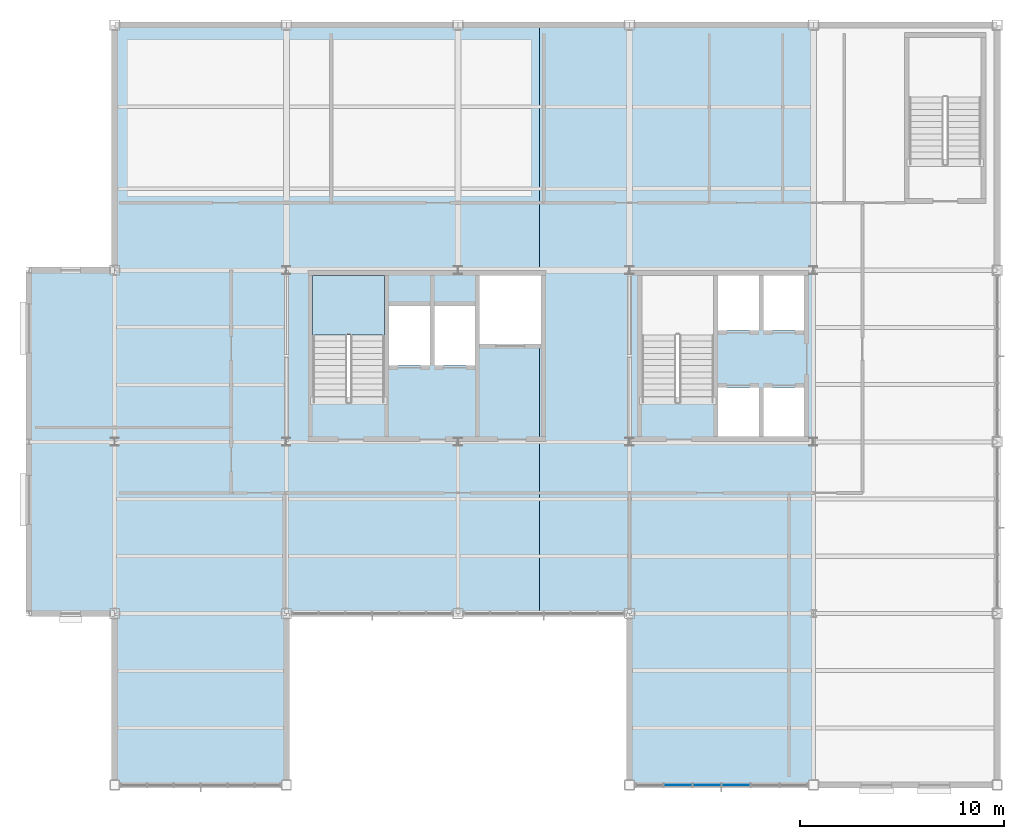
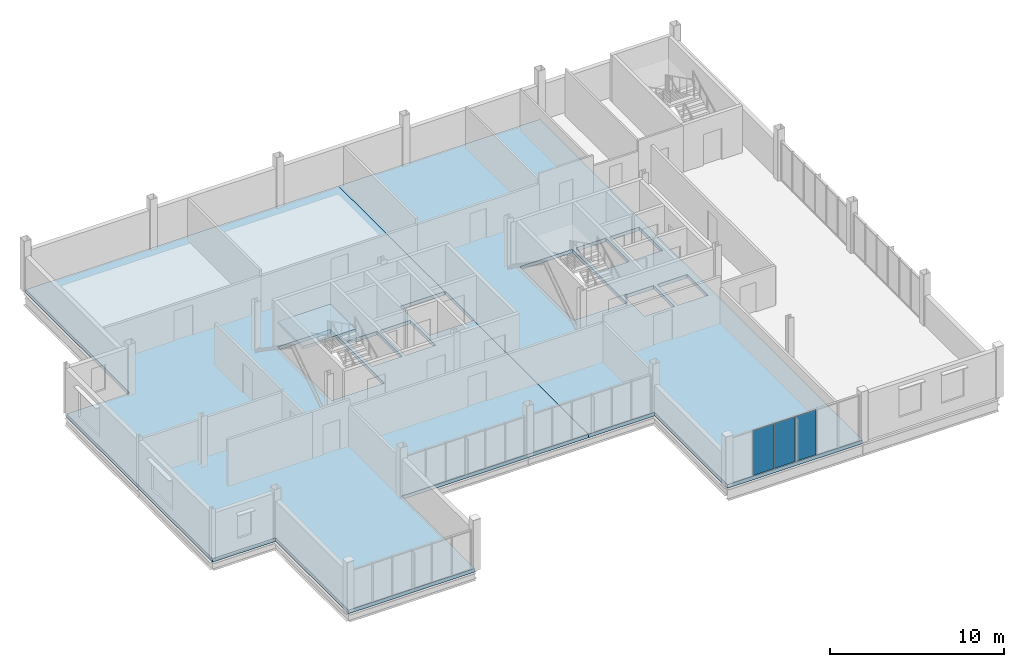
# One storey, part 12 of 19: 3 plates, 3 slabs, 2 elements without a shape of their own.
"""IFC4 building model written with IfcOpenShell, lengths in metres."""

from ifc_helpers import new_model, si_unit, direction, frame, origin, origin_2d, place, context, subcontext, project, spatial, polyline, rectangle, outline, extrude, material, layer, layer_set, type_object, element, aggregate, save


model = new_model("IFC4")

# Units and contexts
model_context = context("Model", 3, precision=1e-05, world=origin(), true_north=direction((0.0, 1.0)))
body_context = subcontext(model_context, "Body", "Model", "MODEL_VIEW")
ifc_project = project(units=[si_unit("LENGTHUNIT", "METRE"), si_unit("AREAUNIT", "SQUARE_METRE"), si_unit("VOLUMEUNIT", "CUBIC_METRE"), si_unit("PLANEANGLEUNIT", "RADIAN"), si_unit("MASSUNIT", "GRAM", prefix="KILO")], contexts=[model_context])

# Site, building, storey
site_placement = place(None, origin())
site = spatial("IfcSite", under=ifc_project, at=site_placement, CompositionType="ELEMENT")
building_placement = place(site_placement, origin())
building = spatial("IfcBuilding", under=site, at=building_placement, Name="Yukiwa Park Conservatory and Herbarium", CompositionType="ELEMENT")
storey_placement = place(building_placement, frame((0.0, 0.0, 31.800048828125)))
storey = spatial("IfcBuildingStorey", under=building, at=storey_placement, Name="L08", CompositionType="ELEMENT", Elevation=31.800048828125)

# Curtain wall, plates
ifc_material_1 = material(Name="Triple Low-E Insulated Glass", Category="glass")
ifc_layer_1 = layer(ifc_material_1, 0.248046875)
ifc_layer_set_1 = layer_set([ifc_layer_1], Name="Triple Low-E Insulated Glass")
curtain_wall_type = type_object("IfcCurtainWallType", Name="CW-TOWER-LAB-S-1400", PredefinedType="NOTDEFINED", material=ifc_layer_set_1)
curtain_wall_placement = place(storey_placement, origin())
curtain_wall = element("IfcCurtainWall", 1, at=curtain_wall_placement, inside=storey, type_object=curtain_wall_type, Name="L08 unitised curtain wall CW-L08-096", PredefinedType="NOTDEFINED")
ifc_material_2 = material(Name="Triple Low-E Insulated Glass", Category="glass")
ifc_layer_2 = layer(ifc_material_2, 0.035888671875)
ifc_layer_set_2 = layer_set([ifc_layer_2], Name="Triple Low-E Insulated Glass")
plate_type = type_object("IfcPlateType", Name="PL-CW-GLZ-36", PredefinedType="CURTAIN_PANEL", material=ifc_layer_set_2)
plate_1_placement = place(storey_placement, frame((152.375, 78.0, 0.06982421875), z_axis=(0.0, 0.0, 1.0), x_axis=(1.0, 0.0, 0.0)))
plate_1 = element("IfcPlate", 2, at=plate_1_placement, type_object=plate_type, Name="CW-L08-096 vision panel 2.1", PredefinedType="CURTAIN_PANEL", context=body_context, shape_type="SweptSolid", body=[
    extrude(rectangle(XDim=1.3466796875, YDim=0.035888671875, at=origin_2d()), origin(), (0.0, 0.0, 1.0), 3.155029296875),
])
plate_2_placement = place(storey_placement, frame((153.791748046875, 78.0, 0.06982421875), z_axis=(0.0, 0.0, 1.0), x_axis=(1.0, 0.0, 0.0)))
plate_2 = element("IfcPlate", 3, at=plate_2_placement, type_object=plate_type, Name="CW-L08-096 vision panel 3.1", PredefinedType="CURTAIN_PANEL", context=body_context, shape_type="SweptSolid", body=[
    extrude(rectangle(XDim=1.3466796875, YDim=0.035888671875, at=origin_2d()), origin(), (0.0, 0.0, 1.0), 3.155029296875),
])
plate_3_placement = place(storey_placement, frame((155.208251953125, 78.0, 0.06982421875), z_axis=(0.0, 0.0, 1.0), x_axis=(1.0, 0.0, 0.0)))
plate_3 = element("IfcPlate", 4, at=plate_3_placement, type_object=plate_type, Name="CW-L08-096 vision panel 4.1", PredefinedType="CURTAIN_PANEL", context=body_context, shape_type="SweptSolid", body=[
    extrude(rectangle(XDim=1.3466796875, YDim=0.035888671875, at=origin_2d()), origin(), (0.0, 0.0, 1.0), 3.155029296875),
])
aggregate(curtain_wall, [plate_1, plate_2, plate_3])

# Slabs
ifc_material_3 = material(Name="Concrete C40", Category="concrete")
ifc_layer_3 = layer(ifc_material_3, 0.248046875)
ifc_layer_set_3 = layer_set([ifc_layer_3], Name="Concrete C40")
slab_type_1 = type_object("IfcSlabType", Name="SL-FLR-248", PredefinedType="FLOOR", material=ifc_layer_set_3)
slab_1_placement = place(storey_placement, frame((0.0, 0.0, -0.248046875)))
element("IfcSlab", 5, at=slab_1_placement, inside=storey, type_object=slab_type_1, Name="L08 composite structural floor slab V5W", PredefinedType="FLOOR", context=body_context, shape_type="SweptSolid", body=[
    extrude(outline(polyline([(133.199951171875, 78.0), (124.800048828125, 78.0), (124.800048828125, 86.39990234375), (120.60009765625, 86.39990234375), (120.60009765625, 103.199951171875), (124.800048828125, 103.199951171875), (124.800048828125, 115.199951171875), (145.60009765625, 115.199951171875), (145.60009765625, 102.949951171875), (142.659912109375, 102.949951171875), (142.659912109375, 99.60009765625), (145.60009765625, 99.60009765625), (145.60009765625, 86.39990234375), (133.199951171875, 86.39990234375), (133.199951171875, 78.0)]), holes=[polyline([(134.489990234375, 102.949951171875), (134.489990234375, 96.72998046875), (138.0, 96.72998046875), (138.0, 102.949951171875), (134.489990234375, 102.949951171875)]), polyline([(140.219970703125, 101.43994140625), (138.219970703125, 101.43994140625), (138.219970703125, 98.5400390625), (140.219970703125, 98.5400390625), (140.219970703125, 101.43994140625)]), polyline([(140.43994140625, 101.43994140625), (140.43994140625, 98.5400390625), (142.43994140625, 98.5400390625), (142.43994140625, 101.43994140625), (140.43994140625, 101.43994140625)])]), origin(), (0.0, 0.0, 1.0), 0.248046875),
])
slab_2_placement = place(storey_placement, frame((0.0, 0.0, -0.248046875)))
element("IfcSlab", 6, at=slab_2_placement, inside=storey, type_object=slab_type_1, Name="L08 composite structural floor slab V5C", PredefinedType="FLOOR", context=body_context, shape_type="SweptSolid", body=[
    extrude(outline(polyline([(150.0, 86.39990234375), (145.60009765625, 86.39990234375), (145.60009765625, 99.60009765625), (145.659912109375, 99.60009765625), (145.659912109375, 102.949951171875), (145.60009765625, 102.949951171875), (145.60009765625, 115.199951171875), (159.0, 115.199951171875), (159.0, 78.0), (150.0, 78.0), (150.0, 86.39990234375)]), holes=[polyline([(154.330078125, 97.449951171875), (154.330078125, 95.050048828125), (156.330078125, 95.050048828125), (156.330078125, 97.449951171875), (154.330078125, 97.449951171875)]), polyline([(156.550048828125, 97.449951171875), (156.550048828125, 95.050048828125), (158.550048828125, 95.050048828125), (158.550048828125, 97.449951171875), (156.550048828125, 97.449951171875)]), polyline([(154.110107421875, 102.949951171875), (150.60009765625, 102.949951171875), (150.60009765625, 96.72998046875), (154.110107421875, 96.72998046875), (154.110107421875, 102.949951171875)]), polyline([(154.330078125, 102.949951171875), (154.330078125, 100.25), (156.330078125, 100.25), (156.330078125, 102.949951171875), (154.330078125, 102.949951171875)]), polyline([(158.550048828125, 102.949951171875), (156.550048828125, 102.949951171875), (156.550048828125, 100.25), (158.550048828125, 100.25), (158.550048828125, 102.949951171875)])]), origin(), (0.0, 0.0, 1.0), 0.248046875),
])

# Stair, slab
ifc_material_4 = material(Name="Concrete C40", Category="concrete")
stair_type = type_object("IfcStairType", Name="ST-DOGLEG-ST-T1", PredefinedType="HALF_TURN_STAIR", material=ifc_material_4)
stair_placement = place(storey_placement, origin())
stair = element("IfcStair", 7, at=stair_placement, inside=storey, type_object=stair_type, Name="L08 Protected Smoke-Proof Stair ST-T1", PredefinedType="HALF_TURN_STAIR")
ifc_material_5 = material(Name="Concrete C40", Category="concrete")
ifc_layer_4 = layer(ifc_material_5, 0.199951171875)
ifc_layer_set_4 = layer_set([ifc_layer_4], Name="Concrete C40")
slab_type_2 = type_object("IfcSlabType", Name="SL-LANDING-220", PredefinedType="LANDING", material=ifc_layer_set_4)
slab_3_placement = place(storey_placement, frame((0.0, 0.0, 1.599853515625)))
slab_3 = element("IfcSlab", 8, at=slab_3_placement, type_object=slab_type_2, Name="ST-T1 landing 1", PredefinedType="LANDING", context=body_context, shape_type="SweptSolid", body=[
    extrude(outline(polyline([(138.0, 100.030029296875), (138.0, 102.949951171875), (134.489990234375, 102.949951171875), (134.489990234375, 100.030029296875), (138.0, 100.030029296875)])), origin(), (0.0, 0.0, 1.0), 0.2001953125),
])
aggregate(stair, [slab_3])

save(model, "model.ifc")
